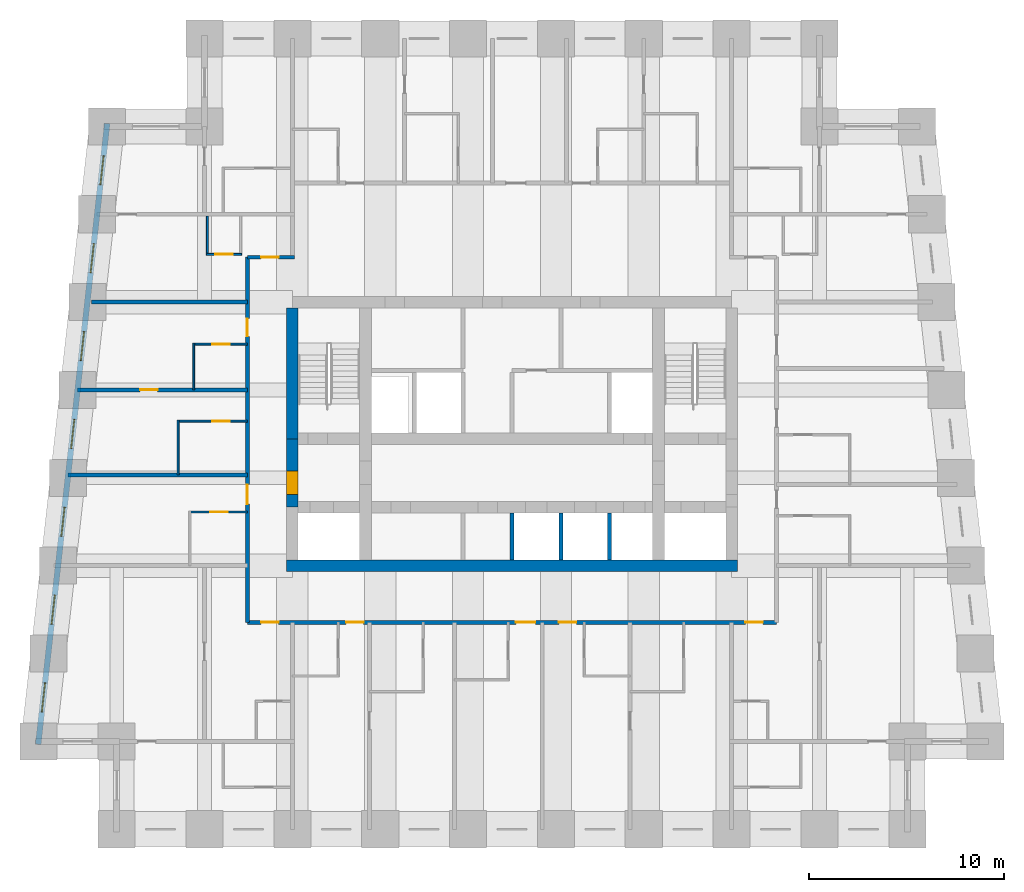
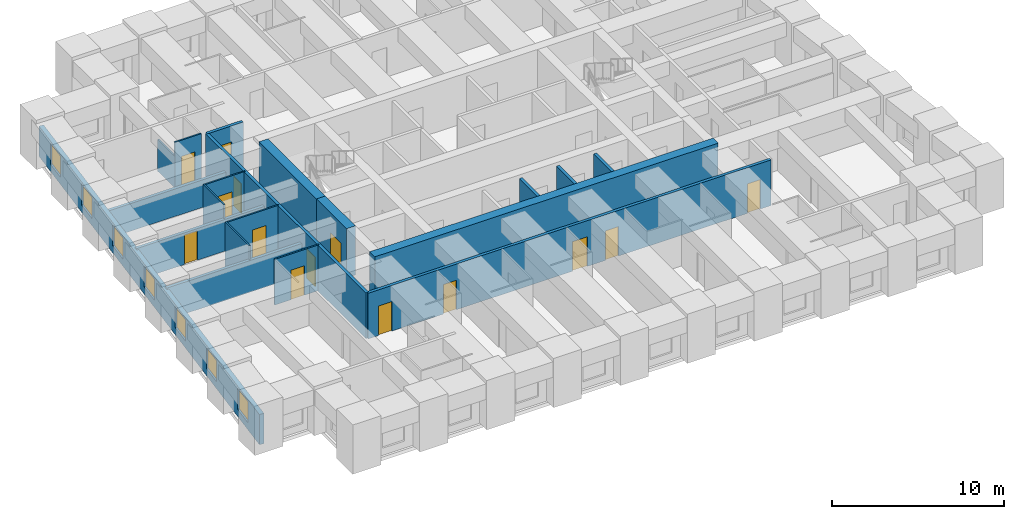
# One storey, part 3 of 8: 20 walls, 14 doors, 7 windows, 21 openings.
"""IFC4 building model written with IfcOpenShell, lengths in metres."""

import ifcopenshell
import ifcopenshell.guid

model = None  # the IFC model being written
_history = None  # IfcOwnerHistory: only IFC2X3 demands one
_inside = {}  # id of a spatial element -> (the spatial element, [elements in it])
_under = {}  # id of a project, library or spatial element -> (it, [spatial elements below it])
_declared = {}  # id of a project -> (the project, [libraries it declares])
_typed = {}  # id of a type object -> (the type object, [elements of that type])
_made_of = {}  # id of a material, layer set ... -> (it, [elements and type objects made of it])


def new_model(schema):
    """Start an empty IFC model of exactly this schema.

    Asked for "IFC4X3", IfcOpenShell would pick the latest addendum, in which some entities
    have other attributes; the version numbers below select the first issue.
    IFC2X3 requires an IfcOwnerHistory on every rooted entity: one is made here for all.
    """
    global model, _history
    if schema == "IFC4X3":
        model = ifcopenshell.file(schema_version=(4, 3, 0, 0))
    else:
        model = ifcopenshell.file(schema=schema)
    _inside.clear()
    _under.clear()
    _declared.clear()
    _typed.clear()
    _made_of.clear()
    _history = None
    if model.schema == "IFC2X3":
        org = make("IfcOrganization", Name="unknown")
        user = make(
            "IfcPersonAndOrganization",
            ThePerson=make("IfcPerson", FamilyName="unknown"),
            TheOrganization=org,
        )
        app = make(
            "IfcApplication",
            ApplicationDeveloper=org,
            Version="unknown",
            ApplicationFullName="unknown",
            ApplicationIdentifier="unknown",
        )
        _history = make(
            "IfcOwnerHistory",
            OwningUser=user,
            OwningApplication=app,
            ChangeAction="ADDED",
            CreationDate=0,
        )
    return model


def make(cls, **values):
    """One entity of the class cls with the attributes given. An attribute that is None is left unset."""
    return model.create_entity(
        cls, **{name: value for name, value in values.items() if value is not None}
    )


def rooted(cls, **values):
    """An entity with a GlobalId (a new one), such as an element, a storey or a relation."""
    return make(cls, GlobalId=ifcopenshell.guid.new(), OwnerHistory=_history, **values)


def si_unit(unit_type, name, prefix=None):
    """IfcSIUnit, for example si_unit("LENGTHUNIT", "METRE", prefix="MILLI")."""
    return make("IfcSIUnit", UnitType=unit_type, Prefix=prefix, Name=name)


def assignment(units):
    """IfcUnitAssignment: the units of a project."""
    return None if units is None else make("IfcUnitAssignment", Units=units)


def point(xyz):
    """IfcCartesianPoint."""
    return None if xyz is None else make("IfcCartesianPoint", Coordinates=xyz)


def direction(xyz):
    """IfcDirection."""
    return None if xyz is None else make("IfcDirection", DirectionRatios=xyz)


def frame(location, z_axis=None, x_axis=None):
    """IfcAxis2Placement3D, a coordinate frame: its origin and axes. An axis left out is left unset."""
    return make(
        "IfcAxis2Placement3D",
        Location=point(location),
        Axis=direction(z_axis),
        RefDirection=direction(x_axis),
    )


def frame_2d(location, x_axis=None):
    """IfcAxis2Placement2D, a coordinate frame in the plane: its origin and x axis."""
    return make(
        "IfcAxis2Placement2D", Location=point(location), RefDirection=direction(x_axis)
    )


def origin():
    """The frame at (0, 0, 0) with its axes left unset."""
    return frame((0.0, 0.0, 0.0))


def place(relative_to, where):
    """IfcLocalPlacement: puts the frame where relative to a parent placement (None: the world)."""
    return make(
        "IfcLocalPlacement", PlacementRelTo=relative_to, RelativePlacement=where
    )


def context(
    kind, dimensions, precision=None, world=None, true_north=None, identifier=None
):
    """IfcGeometricRepresentationContext, for example the 3D "Model" context."""
    return make(
        "IfcGeometricRepresentationContext",
        ContextIdentifier=identifier,
        ContextType=kind,
        CoordinateSpaceDimension=dimensions,
        Precision=precision,
        WorldCoordinateSystem=world,
        TrueNorth=true_north,
    )


def subcontext(parent, identifier, kind, view, scale=None):
    """IfcGeometricRepresentationSubContext, for example "Body" below "Model"."""
    return make(
        "IfcGeometricRepresentationSubContext",
        ContextIdentifier=identifier,
        ContextType=kind,
        ParentContext=parent,
        TargetScale=scale,
        TargetView=view,
    )


def project(units=None, contexts=None):
    """IfcProject with its units and contexts."""
    return rooted(
        "IfcProject",
        Name="project",
        RepresentationContexts=contexts,
        UnitsInContext=assignment(units),
    )


def spatial(cls, under=None, at=None, **own):
    """A site, building, storey or space (cls), placed at a placement, below another one or the project."""
    s = rooted(cls, ObjectPlacement=at, **own)
    if under is not None:
        _under.setdefault(under.id(), (under, []))[1].append(s)
    return s


def profile(cls, at=None, kind="AREA", **sizes):
    """A parametric profile (cls). Its sizes go by their IFC names, for example OverallWidth=200.0."""
    return make(cls, ProfileType=kind, Position=at, **sizes)


def rectangle(**sizes):
    """IfcRectangleProfileDef."""
    return profile("IfcRectangleProfileDef", **sizes)


def extrude(swept, where, along, depth):
    """IfcExtrudedAreaSolid: the profile swept, set in the frame where, extruded along a direction by depth."""
    return make(
        "IfcExtrudedAreaSolid",
        SweptArea=swept,
        Position=where,
        ExtrudedDirection=direction(along),
        Depth=depth,
    )


def shape(context_of_items, identifier, shape_type, items):
    """IfcShapeRepresentation: the items that make up one representation, for example the "Body"."""
    return make(
        "IfcShapeRepresentation",
        ContextOfItems=context_of_items,
        RepresentationIdentifier=identifier,
        RepresentationType=shape_type,
        Items=items,
    )


def material(Name=None, Category=None):
    """IfcMaterial."""
    return make("IfcMaterial", Name=Name, Category=Category)


def layer(
    of_material, thickness, ventilated=None, Name=None, Category=None, Priority=None
):
    """IfcMaterialLayer: one layer of a wall or slab, of a material (None: an air gap)."""
    return make(
        "IfcMaterialLayer",
        Material=of_material,
        LayerThickness=thickness,
        IsVentilated=ventilated,
        Name=Name,
        Category=Category,
        Priority=Priority,
    )


def layer_set(layers, Name=None):
    """IfcMaterialLayerSet."""
    return make("IfcMaterialLayerSet", MaterialLayers=layers, LayerSetName=Name)


def made_of(thing, what):
    """Note that an element or type object is made of a material, layer set ...; save() writes the relation."""
    if what is not None:
        _made_of.setdefault(what.id(), (what, []))[1].append(thing)
    return thing


def type_object(cls, material=None, **own):
    """A type object (cls), such as IfcWallType, which elements share."""
    return made_of(rooted(cls, **own), material)


def element(
    cls,
    number,
    at=None,
    inside=None,
    cuts=None,
    type_object=None,
    material=None,
    context=None,
    identifier="Body",
    shape_type=None,
    held_by="IfcProductDefinitionShape",
    body=None,
    shapes=None,
    **own,
):
    """One element of the class cls, such as IfcWall. Its Tag is "e" and its number.

    at: its placement. inside: the storey or other place that contains it. cuts: it is an
    opening in that element (IfcRelVoidsElement). A single representation is given by context,
    identifier, shape_type and body (its items); several are given by shapes. held_by: the class
    of the entity that holds the representations. save() writes the other relations.
    """
    e = rooted(cls, Tag="e%d" % number, ObjectPlacement=at, **own)
    if body is not None:
        shapes = [shape(context, identifier, shape_type, body)]
    if shapes is not None:
        e.Representation = make(held_by, Representations=shapes)
    if inside is not None:
        _inside.setdefault(inside.id(), (inside, []))[1].append(e)
    if cuts is not None:
        rooted(
            "IfcRelVoidsElement", RelatingBuildingElement=cuts, RelatedOpeningElement=e
        )
    if type_object is not None:
        _typed.setdefault(type_object.id(), (type_object, []))[1].append(e)
    return made_of(e, material)


def fill(opening, filler):
    """IfcRelFillsElement: the door or window that sits in an opening."""
    return rooted(
        "IfcRelFillsElement",
        RelatingOpeningElement=opening,
        RelatedBuildingElement=filler,
    )


def aggregate(whole, parts):
    """IfcRelAggregates: a whole, such as a stair, and the parts it consists of."""
    return rooted("IfcRelAggregates", RelatingObject=whole, RelatedObjects=parts)


def save(model, path):
    """Write the relations noted so far, then the file.

    IfcRelAggregates (storeys below a building ...), IfcRelContainedInSpatialStructure (elements
    in a storey), IfcRelDefinesByType, IfcRelAssociatesMaterial and IfcRelDeclares: one each for
    every whole, place, type object, material and project.
    """
    for whole, parts in _under.values():
        aggregate(whole, parts)
    for where, things in _inside.values():
        rooted(
            "IfcRelContainedInSpatialStructure",
            RelatedElements=things,
            RelatingStructure=where,
        )
    for kind, things in _typed.values():
        rooted("IfcRelDefinesByType", RelatedObjects=things, RelatingType=kind)
    for what, things in _made_of.values():
        rooted("IfcRelAssociatesMaterial", RelatedObjects=things, RelatingMaterial=what)
    for by, libraries in _declared.values():
        rooted("IfcRelDeclares", RelatingContext=by, RelatedDefinitions=libraries)
    model.write(path)


model = new_model("IFC4")

# Units and contexts
model_context = context("Model", 3, precision=1e-05, world=origin(), true_north=direction((0.0, 1.0)))
body_context = subcontext(model_context, "Body", "Model", "MODEL_VIEW")
ifc_project = project(units=[si_unit("LENGTHUNIT", "METRE"), si_unit("AREAUNIT", "SQUARE_METRE"), si_unit("VOLUMEUNIT", "CUBIC_METRE"), si_unit("PLANEANGLEUNIT", "RADIAN"), si_unit("MASSUNIT", "GRAM", prefix="KILO")], contexts=[model_context])

# Site, building, storey
site_placement = place(None, origin())
site = spatial("IfcSite", under=ifc_project, at=site_placement, CompositionType="ELEMENT")
building_placement = place(site_placement, origin())
building = spatial("IfcBuilding", under=site, at=building_placement, Name="Kilele Tower Hotel", CompositionType="ELEMENT")
storey_placement = place(building_placement, frame((0.0, 0.0, 114.39990234375)))
storey = spatial("IfcBuildingStorey", under=building, at=storey_placement, Name="L29", CompositionType="ELEMENT", Elevation=114.39990234375)

# Wall, opening, door
ifc_material_1 = material(Name="Moisture-resistant board")
ifc_layer_1 = layer(ifc_material_1, 0.10009765625)
ifc_layer_set_1 = layer_set([ifc_layer_1], Name="Moisture-resistant board")
wall_type_1 = type_object("IfcWallType", Name="Bathroom partition 100", PredefinedType="PLUMBINGWALL", material=ifc_layer_set_1)
wall_1_placement = place(storey_placement, frame((11.199951171875, 16.25, 0.0), z_axis=(0.0, 0.0, 1.0), x_axis=(-1.0, 0.0, 0.0)))
wall_1 = element("IfcWall", 1, at=wall_1_placement, inside=storey, type_object=wall_type_1, Name="Bathroom partition 100 L29", PredefinedType="PLUMBINGWALL", context=body_context, shape_type="SweptSolid", body=[
    extrude(rectangle(XDim=3.0, YDim=0.10009765625, at=frame_2d((1.5, 0.0))), origin(), (0.0, 0.0, 1.0), 3.25),
])
opening_1_placement = place(wall_1_placement, frame((1.89990234375, 0.0, 0.0), z_axis=(0.0, 0.0, 1.0), x_axis=(-1.0, 0.0, 0.0)))
opening_1 = element("IfcOpeningElement", 2, at=opening_1_placement, cuts=wall_1, Name="Opening D2A", PredefinedType="OPENING", context=body_context, shape_type="SweptSolid", body=[
    extrude(rectangle(XDim=0.89990234375, YDim=2.10009765625, at=frame_2d((0.449951171875, 1.050048828125))), frame((0.0, 0.06005859375, 0.0), z_axis=(0.0, -1.0, 0.0), x_axis=(1.0, 0.0, 0.0)), (0.0, 0.0, 1.0), 0.1201171875),
])
ifc_material_2 = material(Name="Timber door leaf in hardwood frame", Category="wood")
door_type_1 = type_object("IfcDoorType", Name="Bathroom door 900", OperationType="SINGLE_SWING_LEFT", PredefinedType="DOOR", material=ifc_material_2)
door_1_placement = place(opening_1_placement, origin())
door_1 = element("IfcDoor", 3, at=door_1_placement, inside=storey, type_object=door_type_1, Name="Bathroom door 2914B", OperationType="SINGLE_SWING_RIGHT", OverallHeight=2.10009765625, OverallWidth=0.89990234375, PredefinedType="DOOR", context=body_context, shape_type="SweptSolid", body=[
    extrude(rectangle(XDim=0.89990234375, YDim=2.10009765625, at=frame_2d((0.449951171875, 1.050048828125))), frame((0.0, 0.02490234375, 0.0), z_axis=(0.0, -1.0, 0.0), x_axis=(1.0, 0.0, 0.0)), (0.0, 0.0, 1.0), 0.050048828125),
])
fill(opening_1, door_1)

# Wall
wall_2_placement = place(storey_placement, frame((7.64990234375, 18.14990234375, 0.0), z_axis=(0.0, 0.0, 1.0), x_axis=(0.0, 1.0, 0.0)))
element("IfcWall", 4, at=wall_2_placement, inside=storey, type_object=wall_type_1, Name="Bathroom partition 100 L29", PredefinedType="PLUMBINGWALL", context=body_context, shape_type="SweptSolid", body=[
    extrude(rectangle(XDim=2.800048828125, YDim=0.10009765625, at=frame_2d((1.39990234375, 0.0))), origin(), (0.0, 0.0, 1.0), 3.25),
])

# Wall, opening, door
wall_3_placement = place(storey_placement, frame((11.199951171875, 20.89990234375, 0.0), z_axis=(0.0, 0.0, 1.0), x_axis=(-1.0, 0.0, 0.0)))
wall_3 = element("IfcWall", 5, at=wall_3_placement, inside=storey, type_object=wall_type_1, Name="Bathroom partition 100 L29", PredefinedType="PLUMBINGWALL", context=body_context, shape_type="SweptSolid", body=[
    extrude(rectangle(XDim=3.599853515625, YDim=0.10009765625, at=frame_2d((1.7998046875, 0.0))), origin(), (0.0, 0.0, 1.0), 3.25),
])
opening_2_placement = place(wall_3_placement, frame((1.7998046875, 0.0, 0.0), z_axis=(0.0, 0.0, 1.0), x_axis=(-1.0, 0.0, 0.0)))
opening_2 = element("IfcOpeningElement", 6, at=opening_2_placement, cuts=wall_3, Name="Opening D2A", PredefinedType="OPENING", context=body_context, shape_type="SweptSolid", body=[
    extrude(rectangle(XDim=0.89990234375, YDim=2.10009765625, at=frame_2d((0.449951171875, 1.050048828125))), frame((0.0, 0.06005859375, 0.0), z_axis=(0.0, -1.0, 0.0), x_axis=(1.0, 0.0, 0.0)), (0.0, 0.0, 1.0), 0.1201171875),
])
door_2_placement = place(opening_2_placement, origin())
door_2 = element("IfcDoor", 7, at=door_2_placement, inside=storey, type_object=door_type_1, Name="Bathroom door 2915B", OperationType="SINGLE_SWING_RIGHT", OverallHeight=2.10009765625, OverallWidth=0.89990234375, PredefinedType="DOOR", context=body_context, shape_type="SweptSolid", body=[
    extrude(rectangle(XDim=0.89990234375, YDim=2.10009765625, at=frame_2d((0.449951171875, 1.050048828125))), frame((0.0, 0.02490234375, 0.0), z_axis=(0.0, -1.0, 0.0), x_axis=(1.0, 0.0, 0.0)), (0.0, 0.0, 1.0), 0.050048828125),
])
fill(opening_2, door_2)

# Wall
wall_4_placement = place(storey_placement, frame((8.449951171875, 22.5, 0.0), z_axis=(0.0, 0.0, 1.0), x_axis=(0.0, 1.0, 0.0)))
element("IfcWall", 8, at=wall_4_placement, inside=storey, type_object=wall_type_1, Name="Bathroom partition 100 L29", PredefinedType="PLUMBINGWALL", context=body_context, shape_type="SweptSolid", body=[
    extrude(rectangle(XDim=2.39990234375, YDim=0.10009765625, at=frame_2d((1.199951171875, 0.0))), origin(), (0.0, 0.0, 1.0), 3.25),
])

# Wall, opening, door
wall_5_placement = place(storey_placement, frame((11.199951171875, 24.85009765625, 0.0), z_axis=(0.0, 0.0, 1.0), x_axis=(-1.0, 0.0, 0.0)))
wall_5 = element("IfcWall", 9, at=wall_5_placement, inside=storey, type_object=wall_type_1, Name="Bathroom partition 100 L29", PredefinedType="PLUMBINGWALL", context=body_context, shape_type="SweptSolid", body=[
    extrude(rectangle(XDim=2.800048828125, YDim=0.10009765625, at=frame_2d((1.39990234375, 0.0))), origin(), (0.0, 0.0, 1.0), 3.25),
])
opening_3_placement = place(wall_5_placement, frame((1.7998046875, 0.0, 0.0), z_axis=(0.0, 0.0, 1.0), x_axis=(-1.0, 0.0, 0.0)))
opening_3 = element("IfcOpeningElement", 10, at=opening_3_placement, cuts=wall_5, Name="Opening D2A", PredefinedType="OPENING", context=body_context, shape_type="SweptSolid", body=[
    extrude(rectangle(XDim=0.89990234375, YDim=2.10009765625, at=frame_2d((0.449951171875, 1.050048828125))), frame((0.0, 0.06005859375, 0.0), z_axis=(0.0, -1.0, 0.0), x_axis=(1.0, 0.0, 0.0)), (0.0, 0.0, 1.0), 0.1201171875),
])
door_3_placement = place(opening_3_placement, origin())
door_3 = element("IfcDoor", 11, at=door_3_placement, inside=storey, type_object=door_type_1, Name="Bathroom door 2916B", OperationType="SINGLE_SWING_RIGHT", OverallHeight=2.10009765625, OverallWidth=0.89990234375, PredefinedType="DOOR", context=body_context, shape_type="SweptSolid", body=[
    extrude(rectangle(XDim=0.89990234375, YDim=2.10009765625, at=frame_2d((0.449951171875, 1.050048828125))), frame((0.0, 0.02490234375, 0.0), z_axis=(0.0, -1.0, 0.0), x_axis=(1.0, 0.0, 0.0)), (0.0, 0.0, 1.0), 0.050048828125),
])
fill(opening_3, door_3)

# Wall
wall_6_placement = place(storey_placement, frame((9.14990234375, 31.39990234375, 0.0), z_axis=(0.0, 0.0, 1.0), x_axis=(0.0, -1.0, 0.0)))
element("IfcWall", 12, at=wall_6_placement, inside=storey, type_object=wall_type_1, Name="Bathroom partition 100 L29", PredefinedType="PLUMBINGWALL", context=body_context, shape_type="SweptSolid", body=[
    extrude(rectangle(XDim=2.0, YDim=0.10009765625, at=frame_2d((1.0, 0.0))), origin(), (0.0, 0.0, 1.0), 2.25),
])

# Wall, opening, door
wall_7_placement = place(storey_placement, frame((10.89990234375, 29.449951171875, 0.0), z_axis=(0.0, 0.0, 1.0), x_axis=(-1.0, 0.0, 0.0)))
wall_7 = element("IfcWall", 13, at=wall_7_placement, inside=storey, type_object=wall_type_1, Name="Bathroom partition 100 L29", PredefinedType="PLUMBINGWALL", context=body_context, shape_type="SweptSolid", body=[
    extrude(rectangle(XDim=1.7998046875, YDim=0.10009765625, at=frame_2d((0.89990234375, 0.0))), origin(), (0.0, 0.0, 1.0), 3.25),
])
opening_4_placement = place(wall_7_placement, frame((0.449951171875, 0.0, 0.0)))
opening_4 = element("IfcOpeningElement", 14, at=opening_4_placement, cuts=wall_7, Name="Opening D2A", PredefinedType="OPENING", context=body_context, shape_type="SweptSolid", body=[
    extrude(rectangle(XDim=0.89990234375, YDim=2.10009765625, at=frame_2d((0.449951171875, 1.050048828125))), frame((0.0, 0.06005859375, 0.0), z_axis=(0.0, -1.0, 0.0), x_axis=(1.0, 0.0, 0.0)), (0.0, 0.0, 1.0), 0.1201171875),
])
door_4_placement = place(opening_4_placement, origin())
door_4 = element("IfcDoor", 15, at=door_4_placement, inside=storey, type_object=door_type_1, Name="Bathroom door 2926P", OperationType="SINGLE_SWING_LEFT", OverallHeight=2.10009765625, OverallWidth=0.89990234375, PredefinedType="DOOR", context=body_context, shape_type="SweptSolid", body=[
    extrude(rectangle(XDim=0.89990234375, YDim=2.10009765625, at=frame_2d((0.449951171875, 1.050048828125))), frame((0.0, 0.02490234375, 0.0), z_axis=(0.0, -1.0, 0.0), x_axis=(1.0, 0.0, 0.0)), (0.0, 0.0, 1.0), 0.050048828125),
])
fill(opening_4, door_4)

# Walls
ifc_material_3 = material(Name="Concrete C60/75", Category="concrete")
ifc_layer_2 = layer(ifc_material_3, 0.60009765625)
ifc_layer_set_2 = layer_set([ifc_layer_2], Name="Concrete C60/75")
wall_type_2 = type_object("IfcWallType", Name="Core wall 600 C60/75", PredefinedType="SHEAR", material=ifc_layer_set_2)
wall_8_placement = place(storey_placement, frame((13.199951171875, 13.5, 0.0), z_axis=(0.0, 0.0, 1.0), x_axis=(1.0, 0.0, 0.0)))
element("IfcWall", 16, at=wall_8_placement, inside=storey, type_object=wall_type_2, Name="Core wall S L29", PredefinedType="SHEAR", context=body_context, shape_type="SweptSolid", body=[
    extrude(rectangle(XDim=23.10009765625, YDim=0.60009765625, at=frame_2d((11.550048828125, 0.0))), origin(), (0.0, 0.0, 1.0), 3.5),
])
wall_9_placement = place(storey_placement, frame((13.5, 26.699951171875, 0.0), z_axis=(0.0, 0.0, 1.0), x_axis=(0.0, -1.0, 0.0)))
element("IfcWall", 17, at=wall_9_placement, inside=storey, type_object=wall_type_2, Name="Core wall W1 L29", PredefinedType="SHEAR", context=body_context, shape_type="SweptSolid", body=[
    extrude(rectangle(XDim=6.699951171875, YDim=0.60009765625, at=frame_2d((3.35009765625, 0.0))), origin(), (0.0, 0.0, 1.0), 3.5),
])

# Wall, opening, door
wall_10_placement = place(storey_placement, frame((13.5, 20.0, 0.0), z_axis=(0.0, 0.0, 1.0), x_axis=(0.0, -1.0, 0.0)))
wall_10 = element("IfcWall", 18, at=wall_10_placement, inside=storey, type_object=wall_type_2, Name="Core wall W2 L29", PredefinedType="SHEAR", context=body_context, shape_type="SweptSolid", body=[
    extrude(rectangle(XDim=3.5, YDim=0.60009765625, at=frame_2d((1.75, 0.0))), origin(), (0.0, 0.0, 1.0), 3.5),
])
opening_5_placement = place(wall_10_placement, frame((1.64990234375, 0.0, 0.0)))
opening_5 = element("IfcOpeningElement", 19, at=opening_5_placement, cuts=wall_10, Name="Opening D4", PredefinedType="OPENING", context=body_context, shape_type="SweptSolid", body=[
    extrude(rectangle(XDim=1.199951171875, YDim=2.10009765625, at=frame_2d((0.60009765625, 1.050048828125))), frame((0.0, 0.31005859375, 0.0), z_axis=(0.0, -1.0, 0.0), x_axis=(1.0, 0.0, 0.0)), (0.0, 0.0, 1.0), 0.6201171875),
])
ifc_material_4 = material(Name="Timber door leaf in hardwood frame", Category="wood")
door_type_2 = type_object("IfcDoorType", Name="Firefighting lobby door 1200", OperationType="SINGLE_SWING_LEFT", PredefinedType="DOOR", material=ifc_material_4)
door_5_placement = place(opening_5_placement, origin())
door_5 = element("IfcDoor", 20, at=door_5_placement, inside=storey, type_object=door_type_2, Name="Lobby door L29", OperationType="SINGLE_SWING_RIGHT", OverallHeight=2.10009765625, OverallWidth=1.199951171875, PredefinedType="DOOR", context=body_context, shape_type="SweptSolid", body=[
    extrude(rectangle(XDim=1.199951171875, YDim=2.10009765625, at=frame_2d((0.60009765625, 1.050048828125))), frame((0.0, 0.2998046875, 0.0), z_axis=(0.0, -1.0, 0.0), x_axis=(1.0, 0.0, 0.0)), (0.0, 0.0, 1.0), 0.599609375),
])
fill(opening_5, door_5)

# Wall, openings, doors
ifc_material_5 = material(Name="Blockwork, plastered both sides", Category="masonry")
ifc_layer_3 = layer(ifc_material_5, 0.199951171875)
ifc_layer_set_3 = layer_set([ifc_layer_3], Name="Blockwork, plastered both sides")
wall_type_3 = type_object("IfcWallType", Name="Corridor wall 200", PredefinedType="PARTITIONING", material=ifc_layer_set_3)
wall_11_placement = place(storey_placement, frame((11.199951171875, 10.60009765625, 0.0), z_axis=(0.0, 0.0, 1.0), x_axis=(1.0, 0.0, 0.0)))
wall_11 = element("IfcWall", 21, at=wall_11_placement, inside=storey, type_object=wall_type_3, Name="Corridor wall 200 L29", PredefinedType="PARTITIONING", context=body_context, shape_type="SweptSolid", body=[
    extrude(rectangle(XDim=27.10009765625, YDim=0.199951171875, at=frame_2d((13.550048828125, 0.0))), origin(), (0.0, 0.0, 1.0), 3.25),
])
opening_6_placement = place(wall_11_placement, frame((5.949951171875, 0.0, 0.0), z_axis=(0.0, 0.0, 1.0), x_axis=(-1.0, 0.0, 0.0)))
opening_6 = element("IfcOpeningElement", 22, at=opening_6_placement, cuts=wall_11, Name="Opening D1", PredefinedType="OPENING", context=body_context, shape_type="SweptSolid", body=[
    extrude(rectangle(XDim=0.89990234375, YDim=2.10009765625, at=frame_2d((0.449951171875, 1.050048828125))), frame((0.0, 0.10986328125, 0.0), z_axis=(0.0, -1.0, 0.0), x_axis=(1.0, 0.0, 0.0)), (0.0, 0.0, 1.0), 0.219970703125),
])
opening_7_placement = place(wall_11_placement, frame((14.75, 0.0, 0.0), z_axis=(0.0, 0.0, 1.0), x_axis=(-1.0, 0.0, 0.0)))
opening_7 = element("IfcOpeningElement", 23, at=opening_7_placement, cuts=wall_11, Name="Opening D1A", PredefinedType="OPENING", context=body_context, shape_type="SweptSolid", body=[
    extrude(rectangle(XDim=1.0, YDim=2.10009765625, at=frame_2d((0.5, 1.050048828125))), frame((0.0, 0.10986328125, 0.0), z_axis=(0.0, -1.0, 0.0), x_axis=(1.0, 0.0, 0.0)), (0.0, 0.0, 1.0), 0.219970703125),
])
opening_8_placement = place(wall_11_placement, frame((16.849853515625, 0.0, 0.0), z_axis=(0.0, 0.0, 1.0), x_axis=(-1.0, 0.0, 0.0)))
opening_8 = element("IfcOpeningElement", 24, at=opening_8_placement, cuts=wall_11, Name="Opening D1", PredefinedType="OPENING", context=body_context, shape_type="SweptSolid", body=[
    extrude(rectangle(XDim=0.89990234375, YDim=2.10009765625, at=frame_2d((0.449951171875, 1.050048828125))), frame((0.0, 0.10986328125, 0.0), z_axis=(0.0, -1.0, 0.0), x_axis=(1.0, 0.0, 0.0)), (0.0, 0.0, 1.0), 0.219970703125),
])
opening_9_placement = place(wall_11_placement, frame((1.599853515625, 0.0, 0.0), z_axis=(0.0, 0.0, 1.0), x_axis=(-1.0, 0.0, 0.0)))
opening_9 = element("IfcOpeningElement", 25, at=opening_9_placement, cuts=wall_11, Name="Opening D1", PredefinedType="OPENING", context=body_context, shape_type="SweptSolid", body=[
    extrude(rectangle(XDim=0.89990234375, YDim=2.10009765625, at=frame_2d((0.449951171875, 1.050048828125))), frame((0.0, 0.10986328125, 0.0), z_axis=(0.0, -1.0, 0.0), x_axis=(1.0, 0.0, 0.0)), (0.0, 0.0, 1.0), 0.219970703125),
])
opening_10_placement = place(wall_11_placement, frame((26.39990234375, 0.0, 0.0), z_axis=(0.0, 0.0, 1.0), x_axis=(-1.0, 0.0, 0.0)))
opening_10 = element("IfcOpeningElement", 26, at=opening_10_placement, cuts=wall_11, Name="Opening D1", PredefinedType="OPENING", context=body_context, shape_type="SweptSolid", body=[
    extrude(rectangle(XDim=0.89990234375, YDim=2.10009765625, at=frame_2d((0.449951171875, 1.050048828125))), frame((0.0, 0.10986328125, 0.0), z_axis=(0.0, -1.0, 0.0), x_axis=(1.0, 0.0, 0.0)), (0.0, 0.0, 1.0), 0.219970703125),
])
ifc_material_6 = material(Name="Timber door leaf in hardwood frame", Category="wood")
door_type_3 = type_object("IfcDoorType", Name="Guest room entrance door 1000", OperationType="SINGLE_SWING_LEFT", PredefinedType="DOOR", material=ifc_material_6)
door_6_placement = place(opening_7_placement, origin())
door_6 = element("IfcDoor", 27, at=door_6_placement, inside=storey, type_object=door_type_3, Name="Room entrance 2903", OperationType="SINGLE_SWING_LEFT", OverallHeight=2.10009765625, OverallWidth=1.0, PredefinedType="DOOR", context=body_context, shape_type="SweptSolid", body=[
    extrude(rectangle(XDim=1.0, YDim=2.10009765625, at=frame_2d((0.5, 1.050048828125))), frame((0.0, 0.02490234375, 0.0), z_axis=(0.0, -1.0, 0.0), x_axis=(1.0, 0.0, 0.0)), (0.0, 0.0, 1.0), 0.050048828125),
])
fill(opening_7, door_6)
ifc_material_7 = material(Name="Timber door leaf in hardwood frame", Category="wood")
door_type_4 = type_object("IfcDoorType", Name="Guest room entrance door 900", OperationType="SINGLE_SWING_LEFT", PredefinedType="DOOR", material=ifc_material_7)
door_7_placement = place(opening_6_placement, origin())
door_7 = element("IfcDoor", 28, at=door_7_placement, inside=storey, type_object=door_type_4, Name="Room entrance 2901", OperationType="SINGLE_SWING_LEFT", OverallHeight=2.10009765625, OverallWidth=0.89990234375, PredefinedType="DOOR", context=body_context, shape_type="SweptSolid", body=[
    extrude(rectangle(XDim=0.89990234375, YDim=2.10009765625, at=frame_2d((0.449951171875, 1.050048828125))), frame((0.0, 0.02490234375, 0.0), z_axis=(0.0, -1.0, 0.0), x_axis=(1.0, 0.0, 0.0)), (0.0, 0.0, 1.0), 0.050048828125),
])
fill(opening_6, door_7)
door_8_placement = place(opening_8_placement, origin())
door_8 = element("IfcDoor", 29, at=door_8_placement, inside=storey, type_object=door_type_4, Name="Room entrance 2904", OperationType="SINGLE_SWING_LEFT", OverallHeight=2.10009765625, OverallWidth=0.89990234375, PredefinedType="DOOR", context=body_context, shape_type="SweptSolid", body=[
    extrude(rectangle(XDim=0.89990234375, YDim=2.10009765625, at=frame_2d((0.449951171875, 1.050048828125))), frame((0.0, 0.02490234375, 0.0), z_axis=(0.0, -1.0, 0.0), x_axis=(1.0, 0.0, 0.0)), (0.0, 0.0, 1.0), 0.050048828125),
])
fill(opening_8, door_8)
door_9_placement = place(opening_9_placement, origin())
door_9 = element("IfcDoor", 30, at=door_9_placement, inside=storey, type_object=door_type_4, Name="Room entrance 2917", OperationType="SINGLE_SWING_LEFT", OverallHeight=2.10009765625, OverallWidth=0.89990234375, PredefinedType="DOOR", context=body_context, shape_type="SweptSolid", body=[
    extrude(rectangle(XDim=0.89990234375, YDim=2.10009765625, at=frame_2d((0.449951171875, 1.050048828125))), frame((0.0, 0.02490234375, 0.0), z_axis=(0.0, -1.0, 0.0), x_axis=(1.0, 0.0, 0.0)), (0.0, 0.0, 1.0), 0.050048828125),
])
fill(opening_9, door_9)
door_10_placement = place(opening_10_placement, origin())
door_10 = element("IfcDoor", 31, at=door_10_placement, inside=storey, type_object=door_type_4, Name="Room entrance 2920", OperationType="SINGLE_SWING_RIGHT", OverallHeight=2.10009765625, OverallWidth=0.89990234375, PredefinedType="DOOR", context=body_context, shape_type="SweptSolid", body=[
    extrude(rectangle(XDim=0.89990234375, YDim=2.10009765625, at=frame_2d((0.449951171875, 1.050048828125))), frame((0.0, 0.02490234375, 0.0), z_axis=(0.0, -1.0, 0.0), x_axis=(1.0, 0.0, 0.0)), (0.0, 0.0, 1.0), 0.050048828125),
])
fill(opening_10, door_10)

# Wall, opening, door
wall_12_placement = place(storey_placement, frame((11.199951171875, 29.300048828125, 0.0), z_axis=(0.0, 0.0, 1.0), x_axis=(1.0, 0.0, 0.0)))
wall_12 = element("IfcWall", 32, at=wall_12_placement, inside=storey, type_object=wall_type_3, Name="Corridor wall 200 L29", PredefinedType="PARTITIONING", context=body_context, shape_type="SweptSolid", body=[
    extrude(rectangle(XDim=2.400146484375, YDim=0.199951171875, at=frame_2d((1.2001953125, 0.0))), origin(), (0.0, 0.0, 1.0), 3.25),
])
opening_11_placement = place(wall_12_placement, frame((0.699951171875, 0.0, 0.0)))
opening_11 = element("IfcOpeningElement", 33, at=opening_11_placement, cuts=wall_12, Name="Opening D1", PredefinedType="OPENING", context=body_context, shape_type="SweptSolid", body=[
    extrude(rectangle(XDim=0.89990234375, YDim=2.10009765625, at=frame_2d((0.449951171875, 1.050048828125))), frame((0.0, 0.10986328125, 0.0), z_axis=(0.0, -1.0, 0.0), x_axis=(1.0, 0.0, 0.0)), (0.0, 0.0, 1.0), 0.219970703125),
])
door_11_placement = place(opening_11_placement, origin())
door_11 = element("IfcDoor", 34, at=door_11_placement, inside=storey, type_object=door_type_4, Name="Room entrance 2926", OperationType="SINGLE_SWING_RIGHT", OverallHeight=2.10009765625, OverallWidth=0.89990234375, PredefinedType="DOOR", context=body_context, shape_type="SweptSolid", body=[
    extrude(rectangle(XDim=0.89990234375, YDim=2.10009765625, at=frame_2d((0.449951171875, 1.050048828125))), frame((0.0, 0.02490234375, 0.0), z_axis=(0.0, -1.0, 0.0), x_axis=(1.0, 0.0, 0.0)), (0.0, 0.0, 1.0), 0.050048828125),
])
fill(opening_11, door_11)

# Wall, openings, doors
wall_13_placement = place(storey_placement, frame((11.199951171875, 10.60009765625, 0.0), z_axis=(0.0, 0.0, 1.0), x_axis=(0.0, 1.0, 0.0)))
wall_13 = element("IfcWall", 35, at=wall_13_placement, inside=storey, type_object=wall_type_3, Name="Corridor wall 200 L29", PredefinedType="PARTITIONING", context=body_context, shape_type="SweptSolid", body=[
    extrude(rectangle(XDim=18.699951171875, YDim=0.199951171875, at=frame_2d((9.35009765625, 0.0))), origin(), (0.0, 0.0, 1.0), 3.25),
])
opening_12_placement = place(wall_13_placement, frame((6.050048828125, 0.0, 0.0)))
opening_12 = element("IfcOpeningElement", 36, at=opening_12_placement, cuts=wall_13, Name="Opening D8", PredefinedType="OPENING", context=body_context, shape_type="SweptSolid", body=[
    extrude(rectangle(XDim=1.0, YDim=2.10009765625, at=frame_2d((0.5, 1.050048828125))), frame((0.0, 0.10986328125, 0.0), z_axis=(0.0, -1.0, 0.0), x_axis=(1.0, 0.0, 0.0)), (0.0, 0.0, 1.0), 0.219970703125),
])
opening_13_placement = place(wall_13_placement, frame((14.64990234375, 0.0, 0.0)))
opening_13 = element("IfcOpeningElement", 37, at=opening_13_placement, cuts=wall_13, Name="Opening D1", PredefinedType="OPENING", context=body_context, shape_type="SweptSolid", body=[
    extrude(rectangle(XDim=0.89990234375, YDim=2.10009765625, at=frame_2d((0.449951171875, 1.050048828125))), frame((0.0, 0.10986328125, 0.0), z_axis=(0.0, -1.0, 0.0), x_axis=(1.0, 0.0, 0.0)), (0.0, 0.0, 1.0), 0.219970703125),
])
ifc_material_8 = material(Name="Timber door leaf in hardwood frame", Category="wood")
door_type_5 = type_object("IfcDoorType", Name="Door 1000", OperationType="SINGLE_SWING_LEFT", PredefinedType="DOOR", material=ifc_material_8)
door_12_placement = place(opening_12_placement, origin())
door_12 = element("IfcDoor", 38, at=door_12_placement, inside=storey, type_object=door_type_5, Name="Room entrance 2914", OperationType="SINGLE_SWING_LEFT", OverallHeight=2.10009765625, OverallWidth=1.0, PredefinedType="DOOR", context=body_context, shape_type="SweptSolid", body=[
    extrude(rectangle(XDim=1.0, YDim=2.10009765625, at=frame_2d((0.5, 1.050048828125))), frame((0.0, 0.02490234375, 0.0), z_axis=(0.0, -1.0, 0.0), x_axis=(1.0, 0.0, 0.0)), (0.0, 0.0, 1.0), 0.050048828125),
])
fill(opening_12, door_12)
door_13_placement = place(opening_13_placement, origin())
door_13 = element("IfcDoor", 39, at=door_13_placement, inside=storey, type_object=door_type_4, Name="Room entrance 2916", OperationType="SINGLE_SWING_LEFT", OverallHeight=2.10009765625, OverallWidth=0.89990234375, PredefinedType="DOOR", context=body_context, shape_type="SweptSolid", body=[
    extrude(rectangle(XDim=0.89990234375, YDim=2.10009765625, at=frame_2d((0.449951171875, 1.050048828125))), frame((0.0, 0.02490234375, 0.0), z_axis=(0.0, -1.0, 0.0), x_axis=(1.0, 0.0, 0.0)), (0.0, 0.0, 1.0), 0.050048828125),
])
fill(opening_13, door_13)

# Wall
ifc_material_9 = material(Name="Blockwork, plastered both sides", Category="masonry")
ifc_layer_4 = layer(ifc_material_9, 0.199951171875)
ifc_layer_set_4 = layer_set([ifc_layer_4], Name="Blockwork, plastered both sides")
wall_type_4 = type_object("IfcWallType", Name="Party wall 200", PredefinedType="PARTITIONING", material=ifc_layer_set_4)
wall_14_placement = place(storey_placement, frame((11.199951171875, 18.14990234375, 0.0), z_axis=(0.0, 0.0, 1.0), x_axis=(-1.0, 0.0, 0.0)))
element("IfcWall", 40, at=wall_14_placement, inside=storey, type_object=wall_type_4, Name="Party wall 200 L29", PredefinedType="PARTITIONING", context=body_context, shape_type="SweptSolid", body=[
    extrude(rectangle(XDim=9.182373046875, YDim=0.199951171875, at=frame_2d((4.59130859375, 0.0))), origin(), (0.0, 0.0, 1.0), 2.25),
])

# Wall, opening, door
wall_15_placement = place(storey_placement, frame((11.199951171875, 22.5, 0.0), z_axis=(0.0, 0.0, 1.0), x_axis=(-1.0, 0.0, 0.0)))
wall_15 = element("IfcWall", 41, at=wall_15_placement, inside=storey, type_object=wall_type_4, Name="Party wall 200 L29", PredefinedType="PARTITIONING", context=body_context, shape_type="SweptSolid", body=[
    extrude(rectangle(XDim=8.698974609375, YDim=0.199951171875, at=frame_2d((4.349609375, 0.0))), origin(), (0.0, 0.0, 1.0), 2.25),
])
opening_14_placement = place(wall_15_placement, frame((5.5, 0.0, 0.0), z_axis=(0.0, 0.0, 1.0), x_axis=(-1.0, 0.0, 0.0)))
opening_14 = element("IfcOpeningElement", 42, at=opening_14_placement, cuts=wall_15, Name="Opening D3", PredefinedType="OPENING", context=body_context, shape_type="SweptSolid", body=[
    extrude(rectangle(XDim=0.89990234375, YDim=2.10009765625, at=frame_2d((0.449951171875, 1.050048828125))), frame((0.0, 0.10986328125, 0.0), z_axis=(0.0, -1.0, 0.0), x_axis=(1.0, 0.0, 0.0)), (0.0, 0.0, 1.0), 0.219970703125),
])
ifc_material_10 = material(Name="Timber door leaf in hardwood frame", Category="wood")
door_type_6 = type_object("IfcDoorType", Name="Suite internal door 900", OperationType="SINGLE_SWING_LEFT", PredefinedType="DOOR", material=ifc_material_10)
door_14_placement = place(opening_14_placement, origin())
door_14 = element("IfcDoor", 43, at=door_14_placement, inside=storey, type_object=door_type_6, Name="Suite door 2916", OperationType="SINGLE_SWING_LEFT", OverallHeight=2.10009765625, OverallWidth=0.89990234375, PredefinedType="DOOR", context=body_context, shape_type="SweptSolid", body=[
    extrude(rectangle(XDim=0.89990234375, YDim=2.10009765625, at=frame_2d((0.449951171875, 1.050048828125))), frame((0.0, 0.02490234375, 0.0), z_axis=(0.0, -1.0, 0.0), x_axis=(1.0, 0.0, 0.0)), (0.0, 0.0, 1.0), 0.050048828125),
])
fill(opening_14, door_14)

# Wall
wall_16_placement = place(storey_placement, frame((11.199951171875, 27.0, 0.0), z_axis=(0.0, 0.0, 1.0), x_axis=(-1.0, 0.0, 0.0)))
element("IfcWall", 44, at=wall_16_placement, inside=storey, type_object=wall_type_4, Name="Party wall 200 L29", PredefinedType="PARTITIONING", context=body_context, shape_type="SweptSolid", body=[
    extrude(rectangle(XDim=7.976806640625, YDim=0.199951171875, at=frame_2d((3.98828125, 0.0))), origin(), (0.0, 0.0, 1.0), 1.9501953125),
])

# Wall, openings, windows
ifc_material_11 = material(Name="Concrete C40/50 precast", Category="concrete")
ifc_layer_5 = layer(ifc_material_11, 0.260009765625, Name="Precast backing", Category="LoadBearing")
ifc_material_12 = material(Name="Reconstituted stone finish", Category="masonry")
ifc_layer_6 = layer(ifc_material_12, 0.0400390625, Name="Face mix", Category="Finish")
ifc_layer_set_5 = layer_set([ifc_layer_5, ifc_layer_6], Name="Precast concrete C40/50, reconstituted stone finish")
wall_type_5 = type_object("IfcWallType", Name="Precast stone facade wall 300", PredefinedType="STANDARD", material=ifc_layer_set_5)
wall_17_placement = place(storey_placement, frame((4.0166015625, 36.149169921875, 0.0), z_axis=(0.0, 0.0, 1.0), x_axis=(-0.110433201132, -0.993883548555, 0.0)))
wall_17 = element("IfcWall", 45, at=wall_17_placement, inside=storey, type_object=wall_type_5, Name="Facade wall L29 edge 12", PredefinedType="STANDARD", context=body_context, shape_type="SweptSolid", body=[
    extrude(rectangle(XDim=31.994140625, YDim=0.300048828125, at=frame_2d((15.9970703125, 0.0))), origin(), (0.0, 0.0, 1.0), 2.150146484375),
])
opening_15_placement = place(wall_17_placement, frame((1.6640625, 0.0, 0.5)))
opening_15 = element("IfcOpeningElement", 46, at=opening_15_placement, cuts=wall_17, Name="Opening W2", PredefinedType="OPENING", context=body_context, shape_type="SweptSolid", body=[
    extrude(rectangle(XDim=1.5, YDim=1.5, at=frame_2d((0.75, 0.75))), frame((0.0, 0.159912109375, 0.0), z_axis=(0.0, -1.0, 0.0), x_axis=(1.0, 0.0, 0.0)), (0.0, 0.0, 1.0), 0.320068359375),
])
opening_16_placement = place(wall_17_placement, frame((6.19189453125, 0.0, 0.5)))
opening_16 = element("IfcOpeningElement", 47, at=opening_16_placement, cuts=wall_17, Name="Opening W2", PredefinedType="OPENING", context=body_context, shape_type="SweptSolid", body=[
    extrude(rectangle(XDim=1.5, YDim=1.5, at=frame_2d((0.75, 0.75))), frame((0.0, 0.159912109375, 0.0), z_axis=(0.0, -1.0, 0.0), x_axis=(1.0, 0.0, 0.0)), (0.0, 0.0, 1.0), 0.320068359375),
])
opening_17_placement = place(wall_17_placement, frame((10.718994140625, 0.0, 0.5)))
opening_17 = element("IfcOpeningElement", 48, at=opening_17_placement, cuts=wall_17, Name="Opening W2", PredefinedType="OPENING", context=body_context, shape_type="SweptSolid", body=[
    extrude(rectangle(XDim=1.5, YDim=1.5, at=frame_2d((0.75, 0.75))), frame((0.0, 0.159912109375, 0.0), z_axis=(0.0, -1.0, 0.0), x_axis=(1.0, 0.0, 0.0)), (0.0, 0.0, 1.0), 0.320068359375),
])
opening_18_placement = place(wall_17_placement, frame((15.2470703125, 0.0, 0.5)))
opening_18 = element("IfcOpeningElement", 49, at=opening_18_placement, cuts=wall_17, Name="Opening W2", PredefinedType="OPENING", context=body_context, shape_type="SweptSolid", body=[
    extrude(rectangle(XDim=1.5, YDim=1.5, at=frame_2d((0.75, 0.75))), frame((0.0, 0.159912109375, 0.0), z_axis=(0.0, -1.0, 0.0), x_axis=(1.0, 0.0, 0.0)), (0.0, 0.0, 1.0), 0.320068359375),
])
opening_19_placement = place(wall_17_placement, frame((19.77490234375, 0.0, 0.5)))
opening_19 = element("IfcOpeningElement", 50, at=opening_19_placement, cuts=wall_17, Name="Opening W2", PredefinedType="OPENING", context=body_context, shape_type="SweptSolid", body=[
    extrude(rectangle(XDim=1.5, YDim=1.5, at=frame_2d((0.75, 0.75))), frame((0.0, 0.159912109375, 0.0), z_axis=(0.0, -1.0, 0.0), x_axis=(1.0, 0.0, 0.0)), (0.0, 0.0, 1.0), 0.320068359375),
])
opening_20_placement = place(wall_17_placement, frame((24.302001953125, 0.0, 0.5)))
opening_20 = element("IfcOpeningElement", 51, at=opening_20_placement, cuts=wall_17, Name="Opening W2", PredefinedType="OPENING", context=body_context, shape_type="SweptSolid", body=[
    extrude(rectangle(XDim=1.5, YDim=1.5, at=frame_2d((0.75, 0.75))), frame((0.0, 0.159912109375, 0.0), z_axis=(0.0, -1.0, 0.0), x_axis=(1.0, 0.0, 0.0)), (0.0, 0.0, 1.0), 0.320068359375),
])
opening_21_placement = place(wall_17_placement, frame((28.830078125, 0.0, 0.5)))
opening_21 = element("IfcOpeningElement", 52, at=opening_21_placement, cuts=wall_17, Name="Opening W2", PredefinedType="OPENING", context=body_context, shape_type="SweptSolid", body=[
    extrude(rectangle(XDim=1.5, YDim=1.5, at=frame_2d((0.75, 0.75))), frame((0.0, 0.159912109375, 0.0), z_axis=(0.0, -1.0, 0.0), x_axis=(1.0, 0.0, 0.0)), (0.0, 0.0, 1.0), 0.320068359375),
])
ifc_material_13 = material(Name="Aluminium frame, clear double glazing", Category="aluminium")
window_type = type_object("IfcWindowType", Name="Window W2 1500 x 1500", PartitioningType="SINGLE_PANEL", PredefinedType="WINDOW", material=ifc_material_13)
window_1_placement = place(opening_15_placement, origin())
window_1 = element("IfcWindow", 53, at=window_1_placement, inside=storey, type_object=window_type, Name="Window L29", OverallHeight=1.5, OverallWidth=1.5, PartitioningType="SINGLE_PANEL", PredefinedType="WINDOW", context=body_context, shape_type="SweptSolid", body=[
    extrude(rectangle(XDim=1.5, YDim=1.5, at=frame_2d((0.75, 0.75))), frame((0.0, 0.030029296875, 0.0), z_axis=(0.0, -1.0, 0.0), x_axis=(1.0, 0.0, 0.0)), (0.0, 0.0, 1.0), 0.06005859375),
])
fill(opening_15, window_1)
window_2_placement = place(opening_16_placement, origin())
window_2 = element("IfcWindow", 54, at=window_2_placement, inside=storey, type_object=window_type, Name="Window L29", OverallHeight=1.5, OverallWidth=1.5, PartitioningType="SINGLE_PANEL", PredefinedType="WINDOW", context=body_context, shape_type="SweptSolid", body=[
    extrude(rectangle(XDim=1.5, YDim=1.5, at=frame_2d((0.75, 0.75))), frame((0.0, 0.030029296875, 0.0), z_axis=(0.0, -1.0, 0.0), x_axis=(1.0, 0.0, 0.0)), (0.0, 0.0, 1.0), 0.06005859375),
])
fill(opening_16, window_2)
window_3_placement = place(opening_17_placement, origin())
window_3 = element("IfcWindow", 55, at=window_3_placement, inside=storey, type_object=window_type, Name="Window L29", OverallHeight=1.5, OverallWidth=1.5, PartitioningType="SINGLE_PANEL", PredefinedType="WINDOW", context=body_context, shape_type="SweptSolid", body=[
    extrude(rectangle(XDim=1.5, YDim=1.5, at=frame_2d((0.75, 0.75))), frame((0.0, 0.030029296875, 0.0), z_axis=(0.0, -1.0, 0.0), x_axis=(1.0, 0.0, 0.0)), (0.0, 0.0, 1.0), 0.06005859375),
])
fill(opening_17, window_3)
window_4_placement = place(opening_18_placement, origin())
window_4 = element("IfcWindow", 56, at=window_4_placement, inside=storey, type_object=window_type, Name="Window L29", OverallHeight=1.5, OverallWidth=1.5, PartitioningType="SINGLE_PANEL", PredefinedType="WINDOW", context=body_context, shape_type="SweptSolid", body=[
    extrude(rectangle(XDim=1.5, YDim=1.5, at=frame_2d((0.75, 0.75))), frame((0.0, 0.030029296875, 0.0), z_axis=(0.0, -1.0, 0.0), x_axis=(1.0, 0.0, 0.0)), (0.0, 0.0, 1.0), 0.06005859375),
])
fill(opening_18, window_4)
window_5_placement = place(opening_19_placement, origin())
window_5 = element("IfcWindow", 57, at=window_5_placement, inside=storey, type_object=window_type, Name="Window L29", OverallHeight=1.5, OverallWidth=1.5, PartitioningType="SINGLE_PANEL", PredefinedType="WINDOW", context=body_context, shape_type="SweptSolid", body=[
    extrude(rectangle(XDim=1.5, YDim=1.5, at=frame_2d((0.75, 0.75))), frame((0.0, 0.030029296875, 0.0), z_axis=(0.0, -1.0, 0.0), x_axis=(1.0, 0.0, 0.0)), (0.0, 0.0, 1.0), 0.06005859375),
])
fill(opening_19, window_5)
window_6_placement = place(opening_20_placement, origin())
window_6 = element("IfcWindow", 58, at=window_6_placement, inside=storey, type_object=window_type, Name="Window L29", OverallHeight=1.5, OverallWidth=1.5, PartitioningType="SINGLE_PANEL", PredefinedType="WINDOW", context=body_context, shape_type="SweptSolid", body=[
    extrude(rectangle(XDim=1.5, YDim=1.5, at=frame_2d((0.75, 0.75))), frame((0.0, 0.030029296875, 0.0), z_axis=(0.0, -1.0, 0.0), x_axis=(1.0, 0.0, 0.0)), (0.0, 0.0, 1.0), 0.06005859375),
])
fill(opening_20, window_6)
window_7_placement = place(opening_21_placement, origin())
window_7 = element("IfcWindow", 59, at=window_7_placement, inside=storey, type_object=window_type, Name="Window L29", OverallHeight=1.5, OverallWidth=1.5, PartitioningType="SINGLE_PANEL", PredefinedType="WINDOW", context=body_context, shape_type="SweptSolid", body=[
    extrude(rectangle(XDim=1.5, YDim=1.5, at=frame_2d((0.75, 0.75))), frame((0.0, 0.030029296875, 0.0), z_axis=(0.0, -1.0, 0.0), x_axis=(1.0, 0.0, 0.0)), (0.0, 0.0, 1.0), 0.06005859375),
])
fill(opening_21, window_7)

# Walls
ifc_material_14 = material(Name="Blockwork, fire-rated", Category="masonry")
ifc_layer_7 = layer(ifc_material_14, 0.199951171875)
ifc_layer_set_6 = layer_set([ifc_layer_7], Name="Blockwork, fire-rated")
wall_type_6 = type_object("IfcWallType", Name="Shaft wall 200", PredefinedType="PARTITIONING", material=ifc_layer_set_6)
for number, where, z_axis, x_axis, name in (
    (60, (24.75, 13.800048828125, 0.0), (0.0, 0.0, 1.0), (0.0, 1.0, 0.0), "Shaft wall 200 L29"),
    (61, (27.25, 13.800048828125, 0.0), (0.0, 0.0, 1.0), (0.0, 1.0, 0.0), "Shaft wall 200 L29"),
    (62, (29.75, 13.800048828125, 0.0), (0.0, 0.0, 1.0), (0.0, 1.0, 0.0), "Shaft wall 200 L29"),
):
    element("IfcWall", number, at=place(storey_placement, frame(where, z_axis=z_axis, x_axis=x_axis)), inside=storey, type_object=wall_type_6, Name=name, PredefinedType="PARTITIONING", context=body_context, shape_type="SweptSolid", body=[
        extrude(rectangle(XDim=2.39990234375, YDim=0.199951171875, at=frame_2d((1.199951171875, 0.0))), origin(), (0.0, 0.0, 1.0), 3.25),
    ])

save(model, "model.ifc")
